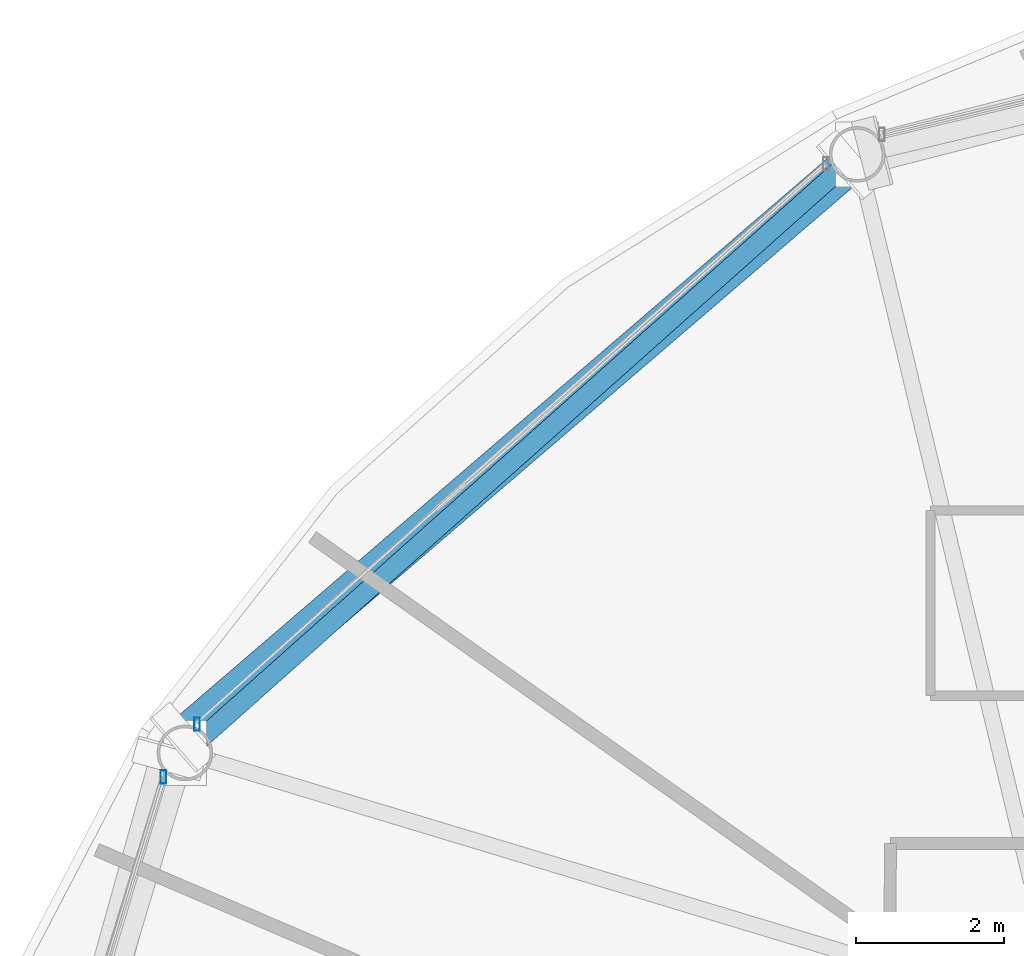
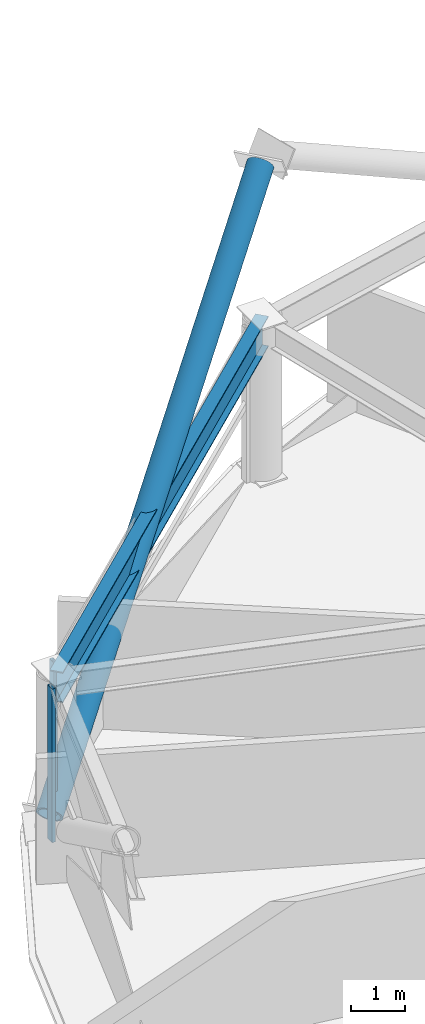
# One storey, part 13 of 29: 3 members, 1 beam, 2 elements without a shape of their own.
"""IFC4 building model written with IfcOpenShell, lengths in metres."""

from ifc_helpers import new_model, si_unit, direction, frame, origin, origin_2d, place, context, subcontext, project, spatial, hollow_rectangle, hollow_circle, i_section, extrude, material, layer, layer_set, material_profile, profile_set, type_object, element, aggregate, save


model = new_model("IFC4")

# Units and contexts
model_context = context("Model", 3, precision=1e-05, world=origin(), true_north=direction((0.0, 1.0)))
body_context = subcontext(model_context, "Body", "Model", "MODEL_VIEW")
ifc_project = project(units=[si_unit("LENGTHUNIT", "METRE"), si_unit("AREAUNIT", "SQUARE_METRE"), si_unit("VOLUMEUNIT", "CUBIC_METRE"), si_unit("PLANEANGLEUNIT", "RADIAN"), si_unit("MASSUNIT", "GRAM", prefix="KILO")], contexts=[model_context])

# Site, building, storey
site_placement = place(None, origin())
site = spatial("IfcSite", under=ifc_project, at=site_placement, CompositionType="ELEMENT")
building_placement = place(site_placement, origin())
building = spatial("IfcBuilding", under=site, at=building_placement, Name="Vantalir Tower", CompositionType="ELEMENT")
storey_placement = place(building_placement, frame((0.0, 0.0, 157.199951171875)))
storey = spatial("IfcBuildingStorey", under=building, at=storey_placement, Name="L39", CompositionType="ELEMENT", Elevation=157.199951171875)

# Beam
ifc_material_1 = material(Name="Steel S460", Category="steel")
ifc_material_profile_1 = material_profile(ifc_material_1, i_section(OverallWidth=0.256103515625, OverallDepth=0.693115234375, WebThickness=0.014404296875, FlangeThickness=0.023681640625, at=origin_2d()), Name="Steel S460")
ifc_profile_set_1 = profile_set([ifc_material_profile_1], Name="Steel S460")
beam_type = type_object("IfcBeamType", Name="BM-RG-686x254", PredefinedType="USERDEFINED", material=ifc_profile_set_1)
beam_placement = place(storey_placement, frame((19.10888671875, 44.112060546875, 3.22412109375), z_axis=(-0.746823535623, -0.665022260259, 0.0), x_axis=(0.665022260259, -0.746823535623, 0.0)))
element("IfcBeam", 1, at=beam_placement, inside=storey, type_object=beam_type, Name="L39 Circumferential Ring Girder 05", ObjectType="GIRDER", PredefinedType="USERDEFINED", context=body_context, shape_type="SweptSolid", body=[
    extrude(i_section(OverallWidth=0.256103515625, OverallDepth=0.693115234375, WebThickness=0.014404296875, FlangeThickness=0.023681640625, at=origin_2d()), origin(), (0.0, 0.0, 1.0), 12.147216796875),
])

# Curtain wall, member
ifc_material_2 = material(Name="Champagne-silver PVDF aluminium and double-silver Low-E glass", Category="aluminium")
ifc_layer = layer(ifc_material_2, 0.199951171875)
ifc_layer_set = layer_set([ifc_layer], Name="Champagne-silver PVDF aluminium and double-silver Low-E glass")
curtain_wall_type = type_object("IfcCurtainWallType", Name="CW-DIAMOND-Z2", PredefinedType="USERDEFINED", material=ifc_layer_set)
curtain_wall_1_placement = place(storey_placement, origin())
curtain_wall_1 = element("IfcCurtainWall", 2, at=curtain_wall_1_placement, inside=storey, type_object=curtain_wall_type, Name="L39 Quilted Pyramid-Diamond Curtain Wall S05", ObjectType="UNITISED CURTAIN WALL", PredefinedType="USERDEFINED")
ifc_material_3 = material(Name="Champagne-silver PVDF aluminium 6063-T6", Category="aluminium")
ifc_material_profile_2 = material_profile(ifc_material_3, hollow_rectangle(XDim=0.074951171875, YDim=0.179931640625, WallThickness=0.00390625, at=origin_2d()), Name="Champagne-silver PVDF aluminium 6063-T6")
ifc_profile_set_2 = profile_set([ifc_material_profile_2], Name="Champagne-silver PVDF aluminium 6063-T6")
member_type_1 = type_object("IfcMemberType", Name="CWM-180x75", PredefinedType="MULLION", material=ifc_profile_set_2)
member_1_placement = place(storey_placement, frame((10.200927734375, 36.422119140625, 0.045166015625), z_axis=(0.0, 0.0, 1.0), x_axis=(1.0, 0.0, 0.0)))
member_1 = element("IfcMember", 3, at=member_1_placement, type_object=member_type_1, Name="CW-L39-S05 Mullion 2", PredefinedType="MULLION", context=body_context, shape_type="SweptSolid", body=[
    extrude(hollow_rectangle(XDim=0.074951171875, YDim=0.179931640625, WallThickness=0.00390625, at=origin_2d()), origin(), (0.0, 0.0, 1.0), 3.47998046875),
])
aggregate(curtain_wall_1, [member_1])

curtain_wall_2_placement = place(storey_placement, origin())
curtain_wall_2 = element("IfcCurtainWall", 4, at=curtain_wall_2_placement, inside=storey, type_object=curtain_wall_type, Name="L39 Quilted Pyramid-Diamond Curtain Wall S06", ObjectType="UNITISED CURTAIN WALL", PredefinedType="USERDEFINED")
member_2_placement = place(storey_placement, frame((9.74609375, 35.7080078125, 0.045166015625), z_axis=(0.0, 0.0, 1.0), x_axis=(1.0, 0.0, 0.0)))
member_2 = element("IfcMember", 5, at=member_2_placement, type_object=member_type_1, Name="CW-L39-S06 Mullion 1", PredefinedType="MULLION", context=body_context, shape_type="SweptSolid", body=[
    extrude(hollow_rectangle(XDim=0.074951171875, YDim=0.179931640625, WallThickness=0.00390625, at=origin_2d()), origin(), (0.0, 0.0, 1.0), 3.47998046875),
])
aggregate(curtain_wall_2, [member_2])

# Member
ifc_material_profile_3 = material_profile(ifc_material_1, hollow_circle(Radius=0.260009765625, WallThickness=0.0380859375, at=origin_2d()), Name="Steel S460")
ifc_profile_set_3 = profile_set([ifc_material_profile_3], Name="Steel S460")
member_type_2 = type_object("IfcMemberType", Name="MEM-DB-520x38", PredefinedType="BRACE", material=ifc_profile_set_3)
member_3_placement = place(storey_placement, frame((10.01708984375, 36.2529296875, 0.191162109375), z_axis=(0.654430272341, 0.561992997643, 0.505850659034), x_axis=(-0.651494633109, 0.758653242945, 0.0)))
element("IfcMember", 6, at=member_3_placement, inside=storey, type_object=member_type_2, Name="L39 Perimeter S460 Diagrid Brace R16R", PredefinedType="BRACE", context=body_context, shape_type="SweptSolid", body=[
    extrude(hollow_circle(Radius=0.260009765625, WallThickness=0.0380859375, at=origin_2d()), origin(), (0.0, 0.0, 1.0), 13.715576171875),
])

save(model, "model.ifc")
